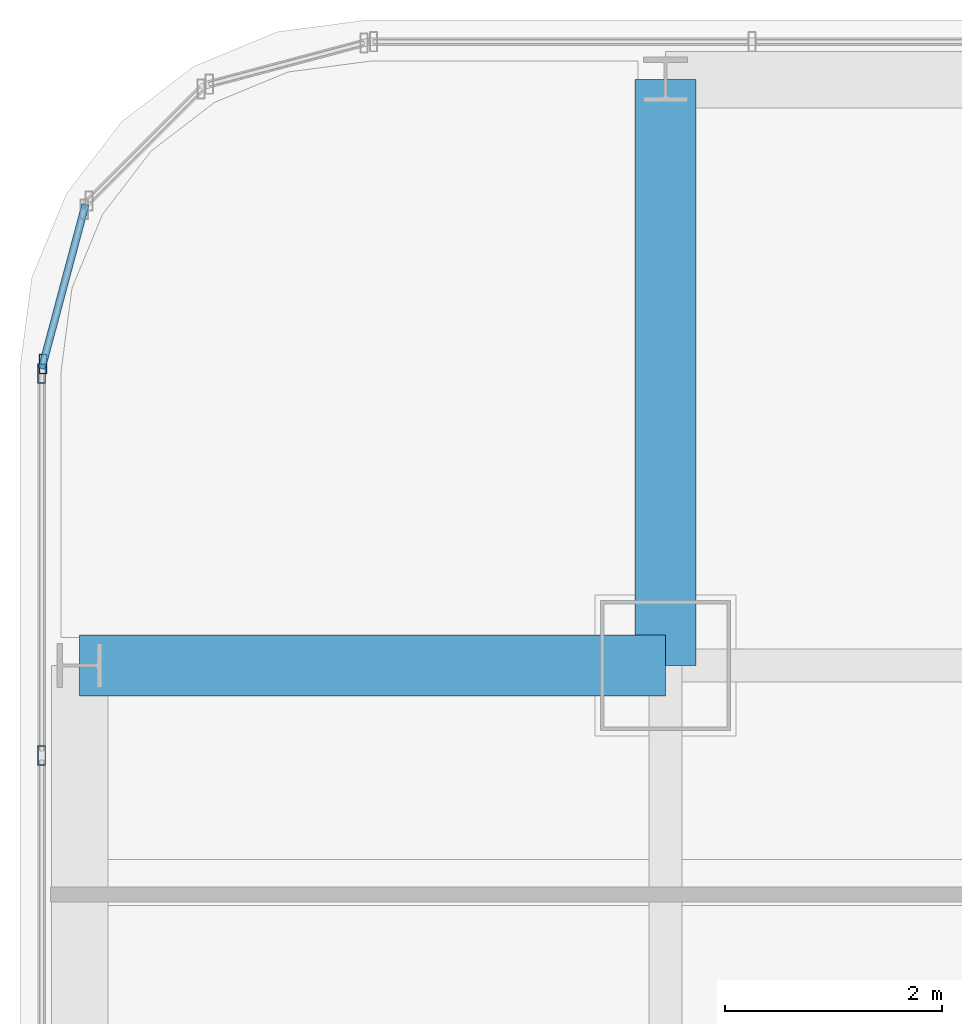
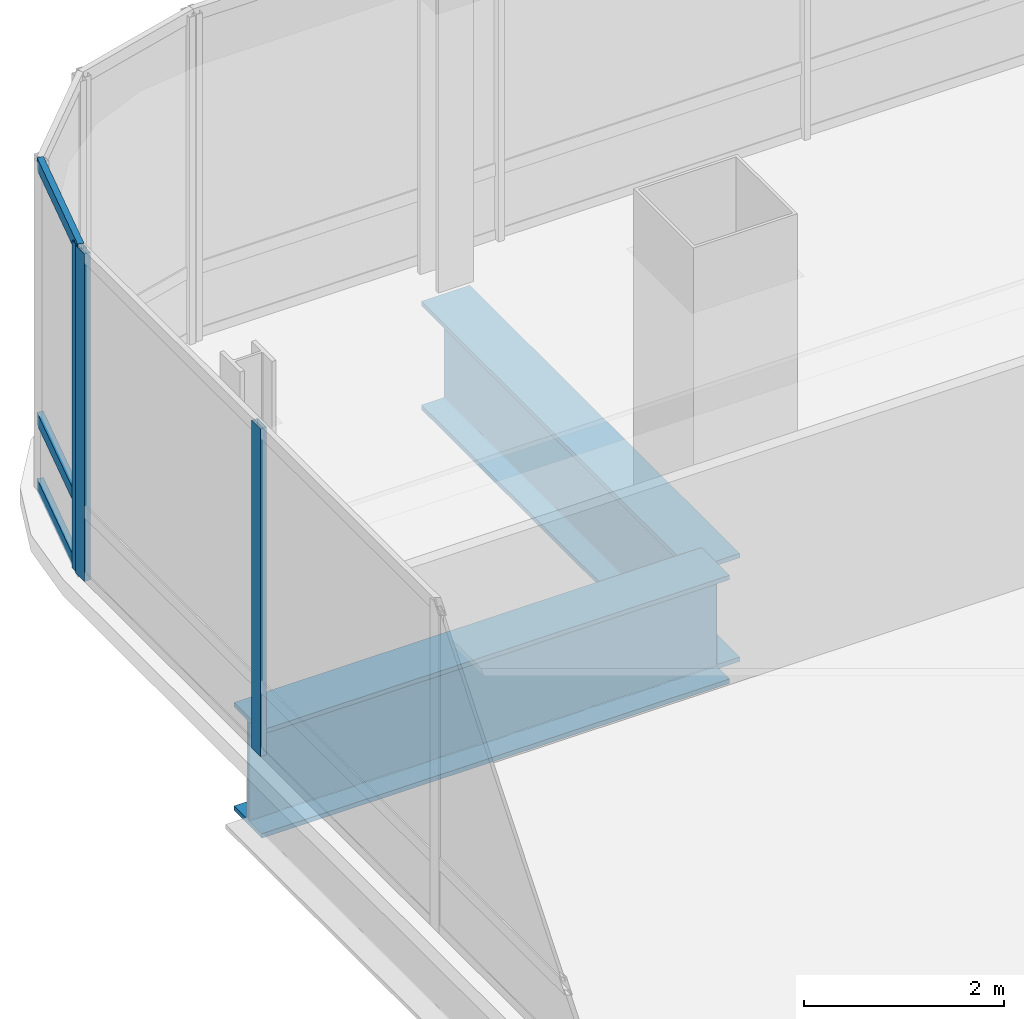
# One storey, part 21 of 41: 6 members, 2 beams, 2 elements without a shape of their own.
"""IFC4 building model written with IfcOpenShell, lengths in metres."""

from ifc_helpers import new_model, si_unit, direction, frame, origin, origin_2d, place, context, subcontext, project, spatial, hollow_rectangle, i_section, extrude, material, material_profile, profile_set, type_object, element, aggregate, save


model = new_model("IFC4")

# Units and contexts
model_context = context("Model", 3, precision=1e-05, world=origin(), true_north=direction((0.0, 1.0)))
body_context = subcontext(model_context, "Body", "Model", "MODEL_VIEW")
ifc_project = project(units=[si_unit("LENGTHUNIT", "METRE"), si_unit("AREAUNIT", "SQUARE_METRE"), si_unit("VOLUMEUNIT", "CUBIC_METRE"), si_unit("PLANEANGLEUNIT", "RADIAN"), si_unit("MASSUNIT", "GRAM", prefix="KILO")], contexts=[model_context])

# Site, building, storey
site_placement = place(None, origin())
site = spatial("IfcSite", under=ifc_project, at=site_placement, CompositionType="ELEMENT")
building_placement = place(site_placement, origin())
building = spatial("IfcBuilding", under=site, at=building_placement, Name="Punatoya Terracotta Tower", CompositionType="ELEMENT")
storey_placement = place(building_placement, frame((0.0, 0.0, 292.199951171875)))
storey = spatial("IfcBuildingStorey", under=building, at=storey_placement, Name="L69", CompositionType="ELEMENT", Elevation=292.199951171875)

# Beams
ifc_material_1 = material(Name="Steel S460", Category="steel")
ifc_material_profile_1 = material_profile(ifc_material_1, i_section(OverallWidth=0.56005859375, OverallDepth=1.320068359375, WebThickness=0.035888671875, FlangeThickness=0.054931640625, FilletRadius=0.01806640625, at=origin_2d()))
ifc_profile_set_1 = profile_set([ifc_material_profile_1], Name="Steel S460")
beam_type = type_object("IfcBeamType", Name="BM-TG-BLK", PredefinedType="BEAM", material=ifc_profile_set_1)
for number, where, z_axis, x_axis, name in (
    (1, (-24.5, 17.5, -0.85986328125), (1.0, 0.0, 0.0), (0.0, 1.0, 0.0), "BM-L69-CANT-W4"),
    (2, (-19.10009765625, 17.5, -0.85986328125), (0.0, 1.0, 0.0), (-1.0, 0.0, 0.0), "BM-L69-CANT-N1"),
):
    element("IfcBeam", number, at=place(storey_placement, frame(where, z_axis=z_axis, x_axis=x_axis)), inside=storey, type_object=beam_type, Name=name, PredefinedType="BEAM", context=body_context, shape_type="SweptSolid", body=[
        extrude(i_section(OverallWidth=0.56005859375, OverallDepth=1.320068359375, WebThickness=0.035888671875, FlangeThickness=0.054931640625, FilletRadius=0.01806640625, at=origin_2d()), origin(), (0.0, 0.0, 1.0), 5.39990234375),
    ])

# Curtain wall, member
ifc_material_2 = material(Name="Aluminium 6063-T6 + Double Low-E Glass", Category="aluminium")
curtain_wall_type = type_object("IfcCurtainWallType", Name="CW-M3", PredefinedType="NOTDEFINED", material=ifc_material_2)
curtain_wall_1_placement = place(storey_placement, origin())
curtain_wall_1 = element("IfcCurtainWall", 3, at=curtain_wall_1_placement, inside=storey, type_object=curtain_wall_type, Name="L69 Curtain Wall CW-L69-CRN12", PredefinedType="NOTDEFINED")
ifc_material_3 = material(Name="Aluminium 6063-T6", Category="aluminium")
ifc_material_profile_2 = material_profile(ifc_material_3, hollow_rectangle(XDim=0.070068359375, YDim=0.179931640625, WallThickness=0.00390625, at=origin_2d()))
ifc_profile_set_2 = profile_set([ifc_material_profile_2], Name="Aluminium 6063-T6")
member_type_1 = type_object("IfcMemberType", Name="CW-MUL-M3", PredefinedType="MULLION", material=ifc_profile_set_2)
member_1_placement = place(storey_placement, frame((-24.83837890625, 20.280517578125, 0.0), z_axis=(0.0, 0.0, 1.0), x_axis=(1.0, 0.0, 0.0)))
member_1 = element("IfcMember", 4, at=member_1_placement, type_object=member_type_1, Name="CW-L69-CRN12 Mullion 01", PredefinedType="MULLION", context=body_context, shape_type="SweptSolid", body=[
    extrude(hollow_rectangle(XDim=0.070068359375, YDim=0.179931640625, WallThickness=0.00390625, at=origin_2d()), origin(), (0.0, 0.0, 1.0), 4.0),
])

# Curtain wall, members
curtain_wall_2_placement = place(storey_placement, origin())
curtain_wall_2 = element("IfcCurtainWall", 5, at=curtain_wall_2_placement, inside=storey, type_object=curtain_wall_type, Name="L69 Curtain Wall CW-L69-W13-1", PredefinedType="NOTDEFINED")
member_2_placement = place(storey_placement, frame((-24.85009765625, 20.19189453125, 0.0), z_axis=(0.0, 0.0, 1.0), x_axis=(1.0, 0.0, 0.0)))
member_2 = element("IfcMember", 6, at=member_2_placement, type_object=member_type_1, Name="CW-L69-W13-1 Mullion 00", PredefinedType="MULLION", context=body_context, shape_type="SweptSolid", body=[
    extrude(hollow_rectangle(XDim=0.070068359375, YDim=0.179931640625, WallThickness=0.00390625, at=origin_2d()), origin(), (0.0, 0.0, 1.0), 4.0),
])
member_3_placement = place(storey_placement, frame((-24.85009765625, 16.66943359375, 0.0), z_axis=(0.0, 0.0, 1.0), x_axis=(1.0, 0.0, 0.0)))
member_3 = element("IfcMember", 7, at=member_3_placement, type_object=member_type_1, Name="CW-L69-W13-1 Mullion 01", PredefinedType="MULLION", context=body_context, shape_type="SweptSolid", body=[
    extrude(hollow_rectangle(XDim=0.070068359375, YDim=0.179931640625, WallThickness=0.00390625, at=origin_2d()), origin(), (0.0, 0.0, 1.0), 4.0),
])
aggregate(curtain_wall_2, [member_2, member_3])

# Member
ifc_material_profile_3 = material_profile(ifc_material_3, hollow_rectangle(XDim=0.068115234375, YDim=0.14990234375, WallThickness=0.00390625, at=origin_2d()))
ifc_profile_set_3 = profile_set([ifc_material_profile_3], Name="Aluminium 6063-T6")
member_type_2 = type_object("IfcMemberType", Name="CW-TRN-TYP", PredefinedType="USERDEFINED", material=ifc_profile_set_3)
member_4_placement = place(storey_placement, frame((-24.446533203125, 21.7490234375, 0.0400390625), z_axis=(-0.257847112249, -0.966185730957, 0.0), x_axis=(0.966185730957, -0.257847112249, 0.0)))
member_4 = element("IfcMember", 8, at=member_4_placement, type_object=member_type_2, Name="CW-L69-CRN12 Transom 1", ObjectType="TRANSOM", PredefinedType="USERDEFINED", context=body_context, shape_type="SweptSolid", body=[
    extrude(hollow_rectangle(XDim=0.068115234375, YDim=0.14990234375, WallThickness=0.00390625, at=origin_2d()), origin(), (0.0, 0.0, 1.0), 1.565185546875),
])

member_5_placement = place(storey_placement, frame((-24.446533203125, 21.7490234375, 0.85009765625), z_axis=(-0.257847112249, -0.966185730957, 0.0), x_axis=(0.966185730957, -0.257847112249, 0.0)))
member_5 = element("IfcMember", 9, at=member_5_placement, type_object=member_type_2, Name="CW-L69-CRN12 Transom 2", ObjectType="TRANSOM", PredefinedType="USERDEFINED", context=body_context, shape_type="SweptSolid", body=[
    extrude(hollow_rectangle(XDim=0.068115234375, YDim=0.14990234375, WallThickness=0.00390625, at=origin_2d()), origin(), (0.0, 0.0, 1.0), 1.565185546875),
])

member_6_placement = place(storey_placement, frame((-24.446533203125, 21.7490234375, 3.9599609375), z_axis=(-0.257847112249, -0.966185730957, 0.0), x_axis=(0.966185730957, -0.257847112249, 0.0)))
member_6 = element("IfcMember", 10, at=member_6_placement, type_object=member_type_2, Name="CW-L69-CRN12 Transom 3", ObjectType="TRANSOM", PredefinedType="USERDEFINED", context=body_context, shape_type="SweptSolid", body=[
    extrude(hollow_rectangle(XDim=0.068115234375, YDim=0.14990234375, WallThickness=0.00390625, at=origin_2d()), origin(), (0.0, 0.0, 1.0), 1.565185546875),
])

aggregate(curtain_wall_1, [member_1, member_4, member_5, member_6])

save(model, "model.ifc")
